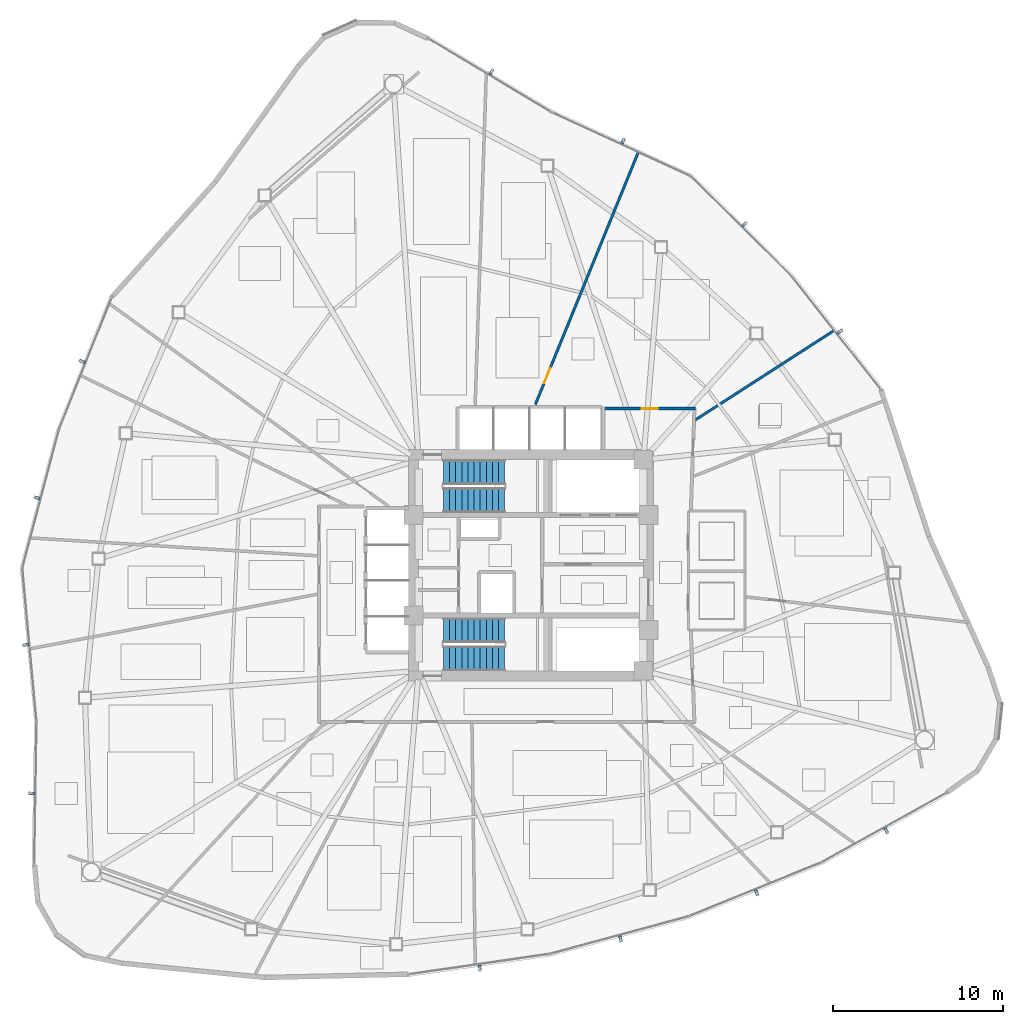
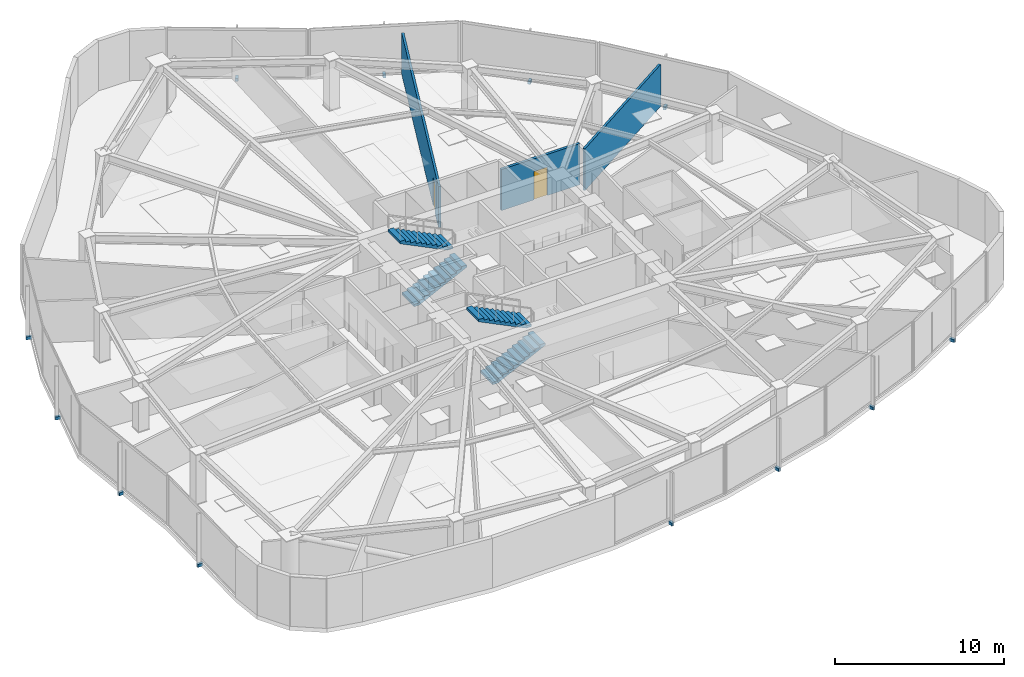
# One storey, part 13 of 17: 12 discrete accessories, 4 stair flights, 3 walls, 2 doors, 2 openings, 2 elements without a shape of their own.
"""IFC4 building model written with IfcOpenShell, lengths in metres."""

from ifc_helpers import new_model, si_unit, direction, frame, frame_2d, origin, origin_2d, place, context, subcontext, project, spatial, polyline, rectangle, outline, extrude, source, transform, mapped, material, layer, layer_set, type_object, type_shapes, element, fill, aggregate, save


model = new_model("IFC4")

# Units and contexts
model_context = context("Model", 3, precision=1e-05, world=origin(), true_north=direction((0.0, 1.0)))
body_context = subcontext(model_context, "Body", "Model", "MODEL_VIEW")
ifc_project = project(units=[si_unit("LENGTHUNIT", "METRE"), si_unit("AREAUNIT", "SQUARE_METRE"), si_unit("VOLUMEUNIT", "CUBIC_METRE"), si_unit("PLANEANGLEUNIT", "RADIAN"), si_unit("MASSUNIT", "GRAM", prefix="KILO")], contexts=[model_context])

# Site, building, storey
site_placement = place(None, origin())
site = spatial("IfcSite", under=ifc_project, at=site_placement, CompositionType="ELEMENT")
building_placement = place(site_placement, origin())
building = spatial("IfcBuilding", under=site, at=building_placement, Name="Tavelor Broadcast Tower", CompositionType="ELEMENT")
storey_placement = place(building_placement, frame((0.0, 0.0, 74.39990234375)))
storey = spatial("IfcBuildingStorey", under=building, at=storey_placement, Name="L17", CompositionType="ELEMENT", Elevation=74.39990234375)

# Wall, opening, door
ifc_material_1 = material(Name="Calcium Silicate Fire Board 180 mm", Category="gypsum")
ifc_layer_1 = layer(ifc_material_1, 0.179931640625)
ifc_layer_set_1 = layer_set([ifc_layer_1], Name="Calcium Silicate Fire Board 180 mm")
wall_type_1 = type_object("IfcWallType", Name="Fire-Rated Corridor Partition Wall 180 mm", PredefinedType="PARTITIONING", material=ifc_layer_set_1)
wall_1_placement = place(storey_placement, frame((54.300048828125, 54.199951171875, 0.0), z_axis=(0.0, 0.0, 1.0), x_axis=(1.0, 0.0, 0.0)))
wall_1 = element("IfcWall", 1, at=wall_1_placement, inside=storey, type_object=wall_type_1, Name="L17 Corridor Compartment Wall 01", PredefinedType="PARTITIONING", context=body_context, shape_type="SweptSolid", body=[
    extrude(rectangle(XDim=5.349853515625, YDim=0.179931640625, at=frame_2d((2.6748046875, 0.0))), origin(), (0.0, 0.0, 1.0), 2.97509765625),
])
opening_1_placement = place(wall_1_placement, frame((2.199951171875, 0.0, 0.0)))
opening_1 = element("IfcOpeningElement", 2, at=opening_1_placement, cuts=wall_1, Name="Opening DR18", PredefinedType="OPENING", context=body_context, shape_type="SweptSolid", body=[
    extrude(rectangle(XDim=0.949951171875, YDim=2.050048828125, at=frame_2d((0.47509765625, 1.02490234375))), frame((0.0, 0.10009765625, 0.0), z_axis=(0.0, -1.0, 0.0), x_axis=(1.0, 0.0, 0.0)), (0.0, 0.0, 1.0), 0.199951171875),
])
ifc_material_2 = material(Name="Timber Solid Core Hardwood", Category="wood")
door_type = type_object("IfcDoorType", Name="Corridor Rated Compartment Door 950x2050", OperationType="NOTDEFINED", PredefinedType="DOOR", material=ifc_material_2)
door_1_placement = place(opening_1_placement, origin())
door_1 = element("IfcDoor", 3, at=door_1_placement, inside=storey, type_object=door_type, Name="L17 Standards Huddle Room Door R10", OperationType="SINGLE_SWING_RIGHT", OverallHeight=2.050048828125, OverallWidth=0.949951171875, PredefinedType="DOOR", context=body_context, shape_type="SweptSolid", body=[
    extrude(rectangle(XDim=0.949951171875, YDim=2.050048828125, at=frame_2d((0.47509765625, 1.02490234375))), frame((0.0, 0.02490234375, 0.0), z_axis=(0.0, -1.0, 0.0), x_axis=(1.0, 0.0, 0.0)), (0.0, 0.0, 1.0), 0.050048828125),
])
fill(opening_1, door_1)

# Wall
ifc_material_3 = material(Name="Gypsum Acoustic Plasterboard 150 mm", Category="gypsum")
ifc_layer_2 = layer(ifc_material_3, 0.14990234375)
ifc_layer_set_2 = layer_set([ifc_layer_2], Name="Gypsum Acoustic Plasterboard 150 mm")
wall_type_2 = type_object("IfcWallType", Name="Interior Acoustic Partition Wall 150 mm", PredefinedType="PARTITIONING", material=ifc_layer_set_2)
wall_2_placement = place(storey_placement, frame((59.574951171875, 53.490478515625, 0.0), z_axis=(0.0, 0.0, 1.0), x_axis=(0.840570280129, 0.541702505222, 0.0)))
element("IfcWall", 4, at=wall_2_placement, inside=storey, type_object=wall_type_2, Name="L17 Radial Compartment Wall 11", PredefinedType="PARTITIONING", context=body_context, shape_type="SweptSolid", body=[
    extrude(rectangle(XDim=9.81640625, YDim=0.14990234375, at=frame_2d((4.908203125, 0.0))), origin(), (0.0, 0.0, 1.0), 3.025146484375),
])

# Wall, opening, door
wall_3_placement = place(storey_placement, frame((50.255126953125, 54.449951171875, 0.0), z_axis=(0.0, 0.0, 1.0), x_axis=(0.377733219237, 0.925914475038, 0.0)))
wall_3 = element("IfcWall", 5, at=wall_3_placement, inside=storey, type_object=wall_type_2, Name="L17 Radial Compartment Wall 12", PredefinedType="PARTITIONING", context=body_context, shape_type="SweptSolid", body=[
    extrude(rectangle(XDim=16.01220703125, YDim=0.14990234375, at=frame_2d((8.006103515625, 0.0))), origin(), (0.0, 0.0, 1.0), 2.97509765625),
])
opening_2_placement = place(wall_3_placement, frame((1.35009765625, 0.0, 0.0)))
opening_2 = element("IfcOpeningElement", 6, at=opening_2_placement, cuts=wall_3, Name="Opening DR18", PredefinedType="OPENING", context=body_context, shape_type="SweptSolid", body=[
    extrude(rectangle(XDim=0.949951171875, YDim=2.050048828125, at=frame_2d((0.47509765625, 1.02490234375))), frame((0.0, 0.0849609375, 0.0), z_axis=(0.0, -1.0, 0.0), x_axis=(1.0, 0.0, 0.0)), (0.0, 0.0, 1.0), 0.169921875),
])
door_2_placement = place(opening_2_placement, origin())
door_2 = element("IfcDoor", 7, at=door_2_placement, inside=storey, type_object=door_type, Name="L17 Suite Connecting Door 9", OperationType="SINGLE_SWING_RIGHT", OverallHeight=2.050048828125, OverallWidth=0.949951171875, PredefinedType="DOOR", context=body_context, shape_type="SweptSolid", body=[
    extrude(rectangle(XDim=0.949951171875, YDim=2.050048828125, at=frame_2d((0.47509765625, 1.02490234375))), frame((0.0, 0.02490234375, 0.0), z_axis=(0.0, -1.0, 0.0), x_axis=(1.0, 0.0, 0.0)), (0.0, 0.0, 1.0), 0.050048828125),
])
fill(opening_2, door_2)

# Stair, stair flights
ifc_material_4 = material(Name="Concrete C40/50", Category="concrete")
stair_type = type_object("IfcStairType", Name="Reinforced Concrete Protected Dogleg Stair 1450 mm", PredefinedType="HALF_TURN_STAIR", material=ifc_material_4)
stair_1_placement = place(storey_placement, origin())
stair_1 = element("IfcStair", 8, at=stair_1_placement, inside=storey, type_object=stair_type, Name="L17 Protected Core Exit Stair ST1", PredefinedType="HALF_TURN_STAIR")
stair_flight_type = type_object("IfcStairFlightType", Name="Reinforced Concrete Stair Flight 1450 mm", PredefinedType="STRAIGHT", material=ifc_material_4)
stair_flight_1_placement = place(storey_placement, frame((44.85009765625, 48.824951171875, 0.0), z_axis=(0.0, 0.0, 1.0), x_axis=(1.0, 0.0, 0.0)))
stair_flight_1 = element("IfcStairFlight", 9, at=stair_flight_1_placement, type_object=stair_flight_type, Name="ST1 flight 1", NumberOfRisers=11, NumberOfTreads=10, PredefinedType="STRAIGHT", RiserHeight=0.177272727, TreadLength=0.36, context=body_context, shape_type="SweptSolid", body=[
    extrude(outline(polyline([(0.0, 0.0), (0.0, 0.17724609375), (0.360107421875, 0.17724609375), (0.360107421875, 0.3544921875), (0.719970703125, 0.3544921875), (0.719970703125, 0.53173828125), (1.080078125, 0.53173828125), (1.080078125, 0.708984375), (1.43994140625, 0.708984375), (1.43994140625, 0.886474609375), (1.800048828125, 0.886474609375), (1.800048828125, 1.063720703125), (2.159912109375, 1.063720703125), (2.159912109375, 1.240966796875), (2.52001953125, 1.240966796875), (2.52001953125, 1.418212890625), (2.8798828125, 1.418212890625), (2.8798828125, 1.595458984375), (3.239990234375, 1.595458984375), (3.239990234375, 1.772705078125), (3.60009765625, 1.772705078125), (3.60009765625, 1.949951171875), (3.60009765625, 1.605712890625), (0.33935546875, 0.0), (0.0, 0.0)])), frame((0.0, 0.72509765625, 0.0), z_axis=(0.0, -1.0, 0.0), x_axis=(1.0, 0.0, 0.0)), (0.0, 0.0, 1.0), 1.449951171875),
])
stair_flight_2_placement = place(storey_placement, frame((48.449951171875, 50.47509765625, 1.9501953125), z_axis=(0.0, 0.0, 1.0), x_axis=(-1.0, 0.0, 0.0)))
stair_flight_2 = element("IfcStairFlight", 10, at=stair_flight_2_placement, type_object=stair_flight_type, Name="ST1 flight 2", NumberOfRisers=11, NumberOfTreads=10, PredefinedType="STRAIGHT", RiserHeight=0.177272727, TreadLength=0.36, context=body_context, shape_type="SweptSolid", body=[
    extrude(outline(polyline([(0.0, 0.0), (0.0, 0.17724609375), (0.360107421875, 0.17724609375), (0.360107421875, 0.3544921875), (0.719970703125, 0.3544921875), (0.719970703125, 0.53173828125), (1.080078125, 0.53173828125), (1.080078125, 0.708984375), (1.43994140625, 0.708984375), (1.43994140625, 0.886474609375), (1.800048828125, 0.886474609375), (1.800048828125, 1.063720703125), (2.159912109375, 1.063720703125), (2.159912109375, 1.240966796875), (2.52001953125, 1.240966796875), (2.52001953125, 1.418212890625), (2.8798828125, 1.418212890625), (2.8798828125, 1.595458984375), (3.239990234375, 1.595458984375), (3.239990234375, 1.772705078125), (3.60009765625, 1.772705078125), (3.60009765625, 1.949951171875), (3.60009765625, 1.605712890625), (0.33935546875, 0.0), (0.0, 0.0)])), frame((0.0, 0.72509765625, 0.0), z_axis=(0.0, -1.0, 0.0), x_axis=(1.0, 0.0, 0.0)), (0.0, 0.0, 1.0), 1.449951171875),
])
aggregate(stair_1, [stair_flight_1, stair_flight_2])

stair_2_placement = place(storey_placement, origin())
stair_2 = element("IfcStair", 11, at=stair_2_placement, inside=storey, type_object=stair_type, Name="L17 Protected Core Exit Stair ST2", PredefinedType="HALF_TURN_STAIR")
stair_flight_3_placement = place(storey_placement, frame((44.85009765625, 39.52490234375, 0.0), z_axis=(0.0, 0.0, 1.0), x_axis=(1.0, 0.0, 0.0)))
stair_flight_3 = element("IfcStairFlight", 12, at=stair_flight_3_placement, type_object=stair_flight_type, Name="ST2 flight 1", NumberOfRisers=11, NumberOfTreads=10, PredefinedType="STRAIGHT", RiserHeight=0.177272727, TreadLength=0.36, context=body_context, shape_type="SweptSolid", body=[
    extrude(outline(polyline([(0.0, 0.0), (0.0, 0.17724609375), (0.360107421875, 0.17724609375), (0.360107421875, 0.3544921875), (0.719970703125, 0.3544921875), (0.719970703125, 0.53173828125), (1.080078125, 0.53173828125), (1.080078125, 0.708984375), (1.43994140625, 0.708984375), (1.43994140625, 0.886474609375), (1.800048828125, 0.886474609375), (1.800048828125, 1.063720703125), (2.159912109375, 1.063720703125), (2.159912109375, 1.240966796875), (2.52001953125, 1.240966796875), (2.52001953125, 1.418212890625), (2.8798828125, 1.418212890625), (2.8798828125, 1.595458984375), (3.239990234375, 1.595458984375), (3.239990234375, 1.772705078125), (3.60009765625, 1.772705078125), (3.60009765625, 1.949951171875), (3.60009765625, 1.605712890625), (0.33935546875, 0.0), (0.0, 0.0)])), frame((0.0, 0.72509765625, 0.0), z_axis=(0.0, -1.0, 0.0), x_axis=(1.0, 0.0, 0.0)), (0.0, 0.0, 1.0), 1.449951171875),
])
stair_flight_4_placement = place(storey_placement, frame((48.449951171875, 41.175048828125, 1.9501953125), z_axis=(0.0, 0.0, 1.0), x_axis=(-1.0, 0.0, 0.0)))
stair_flight_4 = element("IfcStairFlight", 13, at=stair_flight_4_placement, type_object=stair_flight_type, Name="ST2 flight 2", NumberOfRisers=11, NumberOfTreads=10, PredefinedType="STRAIGHT", RiserHeight=0.177272727, TreadLength=0.36, context=body_context, shape_type="SweptSolid", body=[
    extrude(outline(polyline([(0.0, 0.0), (0.0, 0.17724609375), (0.360107421875, 0.17724609375), (0.360107421875, 0.3544921875), (0.719970703125, 0.3544921875), (0.719970703125, 0.53173828125), (1.080078125, 0.53173828125), (1.080078125, 0.708984375), (1.43994140625, 0.708984375), (1.43994140625, 0.886474609375), (1.800048828125, 0.886474609375), (1.800048828125, 1.063720703125), (2.159912109375, 1.063720703125), (2.159912109375, 1.240966796875), (2.52001953125, 1.240966796875), (2.52001953125, 1.418212890625), (2.8798828125, 1.418212890625), (2.8798828125, 1.595458984375), (3.239990234375, 1.595458984375), (3.239990234375, 1.772705078125), (3.60009765625, 1.772705078125), (3.60009765625, 1.949951171875), (3.60009765625, 1.605712890625), (0.33935546875, 0.0), (0.0, 0.0)])), frame((0.0, 0.72509765625, 0.0), z_axis=(0.0, -1.0, 0.0), x_axis=(1.0, 0.0, 0.0)), (0.0, 0.0, 1.0), 1.449951171875),
])
aggregate(stair_2, [stair_flight_3, stair_flight_4])

# Discrete accessories
ifc_material_5 = material(Name="Steel S355", Category="steel")
discrete_accessory_type = type_object("IfcDiscreteAccessoryType", Name="Stainless Baguette Outrigger Support Bracket 260x180", PredefinedType="BRACKET", material=ifc_material_5)
shared_shape = source(origin(), body_context, "Body", "SweptSolid", [
    extrude(rectangle(XDim=0.179931640625, YDim=0.340087890625, at=origin_2d()), origin(), (0.0, 0.0, 1.0), 0.216064453125),
])
type_shapes(discrete_accessory_type, [shared_shape])
for number, where, z_axis, x_axis, name in (
    (14, (23.632080078125, 56.97607421875, -0.2578125), (0.0, 0.0, 1.0), (-0.370881630624, -0.928680147341, 0.0), "L17 Baguette Outrigger Bracket 157"),
    (15, (20.981201171875, 48.960205078125, -0.2578125), (0.0, 0.0, 1.0), (-0.255951950439, -0.966689504994, 0.0), "L17 Baguette Outrigger Bracket 158"),
    (16, (20.316162109375, 40.33447265625, -0.2578125), (0.0, 0.0, 1.0), (0.092196799296, -0.995740804728, 0.0), "L17 Baguette Outrigger Bracket 159"),
    (17, (20.666015625, 31.60498046875, -0.2578125), (0.0, 0.0, 1.0), (-0.016056339135, -0.999871088678, 0.0), "L17 Baguette Outrigger Bracket 160"),
    (18, (46.986572265625, 21.350830078125, -0.2578125), (0.0, 0.0, 1.0), (0.989726383718, 0.142974422091, 0.0), "L17 Baguette Outrigger Bracket 161"),
    (19, (55.25390625, 23.06298828125, -0.2578125), (0.0, 0.0, 1.0), (0.965107956967, 0.261852308371, 0.0), "L17 Baguette Outrigger Bracket 162"),
    (20, (63.25341796875, 25.762939453125, -0.2578125), (0.0, 0.0, 1.0), (0.926331513311, 0.376709340802, 0.0), "L17 Baguette Outrigger Bracket 163"),
    (21, (70.867431640625, 29.4111328125, -0.2578125), (0.0, 0.0, 1.0), (0.873941932872, 0.486030346756, 0.0), "L17 Baguette Outrigger Bracket 164"),
    (22, (68.155517578125, 58.7294921875, -0.2578125), (0.0, 0.0, 1.0), (-0.618682673481, 0.78564098005, 0.0), "L17 Baguette Outrigger Bracket 165"),
    (23, (62.5390625, 65.033203125, -0.2578125), (0.0, 0.0, 1.0), (-0.709324729572, 0.704881853942, 0.0), "L17 Baguette Outrigger Bracket 166"),
    (24, (55.4013671875, 69.922119140625, -0.2578125), (0.0, 0.0, 1.0), (-0.908435232127, 0.418025632026, 0.0), "L17 Baguette Outrigger Bracket 167"),
    (25, (47.666748046875, 73.98388671875, -0.2578125), (0.0, 0.0, 1.0), (-0.857885593737, 0.513840741921, 0.0), "L17 Baguette Outrigger Bracket 168"),
):
    element("IfcDiscreteAccessory", number, at=place(storey_placement, frame(where, z_axis=z_axis, x_axis=x_axis)), inside=storey, type_object=discrete_accessory_type, Name=name, PredefinedType="BRACKET", context=body_context, shape_type="MappedRepresentation", body=[
        mapped(shared_shape, transform((0.0, 0.0, 0.0), scale=1.0)),
    ])

save(model, "model.ifc")
